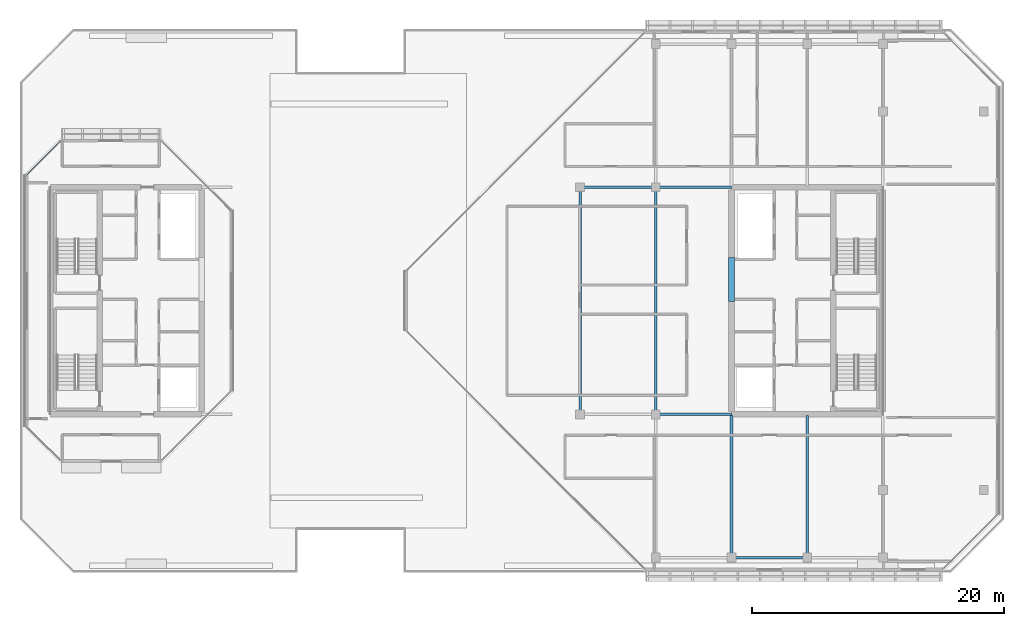
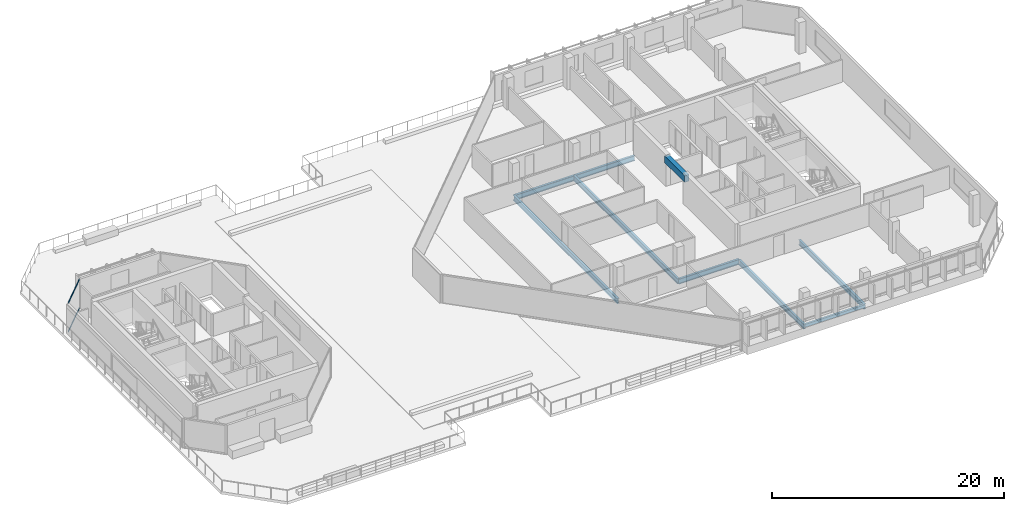
# One storey, part 11 of 30: 9 beams, 2 members, 1 element without a shape of its own.
"""IFC4 building model written with IfcOpenShell, lengths in metres."""

from ifc_helpers import new_model, si_unit, direction, frame, origin, origin_2d, place, context, subcontext, project, spatial, rectangle, hollow_rectangle, i_section, extrude, material, layer, layer_set, material_profile, profile_set, type_object, element, aggregate, save


model = new_model("IFC4")

# Units and contexts
model_context = context("Model", 3, precision=1e-05, world=origin(), true_north=direction((0.0, 1.0)))
body_context = subcontext(model_context, "Body", "Model", "MODEL_VIEW")
ifc_project = project(units=[si_unit("LENGTHUNIT", "METRE"), si_unit("AREAUNIT", "SQUARE_METRE"), si_unit("VOLUMEUNIT", "CUBIC_METRE"), si_unit("PLANEANGLEUNIT", "RADIAN"), si_unit("MASSUNIT", "GRAM", prefix="KILO")], contexts=[model_context])

# Site, building, storey
site_placement = place(None, origin())
site = spatial("IfcSite", under=ifc_project, at=site_placement, CompositionType="ELEMENT")
building_placement = place(site_placement, origin())
building = spatial("IfcBuilding", under=site, at=building_placement, Name="Tanjung Sevakor Pilgrim Tower", CompositionType="ELEMENT")
storey_placement = place(building_placement, frame((0.0, 0.0, 229.35009765625)))
storey = spatial("IfcBuildingStorey", under=building, at=storey_placement, Name="L64", CompositionType="ELEMENT", Elevation=229.35009765625)

# Beams
ifc_material_1 = material(Name="Steel S355J2", Category="steel")
ifc_material_profile_1 = material_profile(ifc_material_1, i_section(OverallWidth=0.2119140625, OverallDepth=0.54443359375, WebThickness=0.0126953125, FlangeThickness=0.021240234375, FilletRadius=0.0126953125, at=origin_2d()))
ifc_profile_set_1 = profile_set([ifc_material_profile_1], Name="Steel S355J2")
beam_type_1 = type_object("IfcBeamType", Name="BM-B-G5-UB_533x210x122", PredefinedType="BEAM", material=ifc_profile_set_1)
for number, where, z_axis, x_axis, name in (
    (1, (72.0, 24.60009765625, -0.552490234375), (1.0, 0.0, 0.0), (0.0, 1.0, 0.0), "L64 Primary Floor Girder EAST Y246-02"),
    (2, (66.0, 42.60009765625, -0.552490234375), (1.0, 0.0, 0.0), (0.0, 1.0, 0.0), "L64 Primary Floor Girder EAST Y426-01"),
    (3, (72.0, 42.60009765625, -0.552490234375), (1.0, 0.0, 0.0), (0.0, 1.0, 0.0), "L64 Primary Floor Girder EAST Y426-02"),
):
    element("IfcBeam", number, at=place(storey_placement, frame(where, z_axis=z_axis, x_axis=x_axis)), inside=storey, type_object=beam_type_1, Name=name, PredefinedType="BEAM", context=body_context, shape_type="SweptSolid", body=[
        extrude(i_section(OverallWidth=0.2119140625, OverallDepth=0.54443359375, WebThickness=0.0126953125, FlangeThickness=0.021240234375, FilletRadius=0.0126953125, at=origin_2d()), origin(), (0.0, 0.0, 1.0), 6.0),
    ])
ifc_material_2 = material(Name="Steel S355J2", Category="steel")
ifc_material_profile_2 = material_profile(ifc_material_2, i_section(OverallWidth=0.210693359375, OverallDepth=0.53955078125, WebThickness=0.01171875, FlangeThickness=0.018798828125, FilletRadius=0.0126953125, at=origin_2d()))
ifc_profile_set_2 = profile_set([ifc_material_profile_2], Name="Steel S355J2")
beam_type_2 = type_object("IfcBeamType", Name="BM-B-G6-UB_533x210x109", PredefinedType="BEAM", material=ifc_profile_set_2)
for number, where, z_axis, x_axis, name in (
    (4, (66.0, 24.60009765625, -0.5498046875), (0.0, 1.0, 0.0), (-1.0, 0.0, 0.0), "L64 EAST Girder 001"),
    (5, (72.0, 24.60009765625, -0.5498046875), (0.0, 1.0, 0.0), (-1.0, 0.0, 0.0), "L64 EAST Girder 003"),
):
    element("IfcBeam", number, at=place(storey_placement, frame(where, z_axis=z_axis, x_axis=x_axis)), inside=storey, type_object=beam_type_2, Name=name, PredefinedType="BEAM", context=body_context, shape_type="SweptSolid", body=[
        extrude(i_section(OverallWidth=0.210693359375, OverallDepth=0.53955078125, WebThickness=0.01171875, FlangeThickness=0.018798828125, FilletRadius=0.0126953125, at=origin_2d()), origin(), (0.0, 0.0, 1.0), 18.0),
    ])
for number, where, z_axis, x_axis, name in (
    (6, (78.0, 13.25, -0.5498046875), (0.0, 1.0, 0.0), (-1.0, 0.0, 0.0), "L64 EAST Girder 005"),
    (7, (84.0, 13.25, -0.5498046875), (0.0, 1.0, 0.0), (-1.0, 0.0, 0.0), "L64 EAST Girder 007"),
):
    element("IfcBeam", number, at=place(storey_placement, frame(where, z_axis=z_axis, x_axis=x_axis)), inside=storey, type_object=beam_type_2, Name=name, PredefinedType="BEAM", context=body_context, shape_type="SweptSolid", body=[
        extrude(i_section(OverallWidth=0.210693359375, OverallDepth=0.53955078125, WebThickness=0.01171875, FlangeThickness=0.018798828125, FilletRadius=0.0126953125, at=origin_2d()), origin(), (0.0, 0.0, 1.0), 11.243896484375),
    ])
ifc_material_3 = material(Name="Concrete C60/75", Category="concrete")
ifc_material_profile_3 = material_profile(ifc_material_3, rectangle(XDim=0.449951171875, YDim=0.699951171875, at=origin_2d()))
ifc_profile_set_3 = profile_set([ifc_material_profile_3], Name="Concrete C60/75")
beam_type_3 = type_object("IfcBeamType", Name="BM-B-LN3-RC-BM_450x700", PredefinedType="LINTEL", material=ifc_profile_set_3)
beam_1_placement = place(storey_placement, frame((78.0, 33.550048828125, 2.72998046875), z_axis=(0.0, 1.0, 0.0), x_axis=(-1.0, 0.0, 0.0)))
element("IfcBeam", 8, at=beam_1_placement, inside=storey, type_object=beam_type_3, Name="L64 E Core Coupling Lintel", PredefinedType="LINTEL", context=body_context, shape_type="SweptSolid", body=[
    extrude(rectangle(XDim=0.449951171875, YDim=0.699951171875, at=origin_2d()), origin(), (0.0, 0.0, 1.0), 3.5),
])
ifc_material_4 = material(Name="Steel S355J2", Category="steel")
ifc_material_profile_4 = material_profile(ifc_material_4, hollow_rectangle(XDim=0.199951171875, YDim=0.300048828125, WallThickness=0.012451171875, at=origin_2d()))
ifc_profile_set_4 = profile_set([ifc_material_profile_4], Name="Steel S355J2")
beam_type_4 = type_object("IfcBeamType", Name="BM-B-SP3-RHS_300x200x12.5", PredefinedType="SPANDREL", material=ifc_profile_set_4)
beam_2_placement = place(storey_placement, frame((78.0, 13.25, -0.43017578125), z_axis=(1.0, 0.0, 0.0), x_axis=(0.0, 1.0, 0.0)))
element("IfcBeam", 9, at=beam_2_placement, inside=storey, type_object=beam_type_4, Name="L64 Spandrel EAST S-03", PredefinedType="SPANDREL", context=body_context, shape_type="SweptSolid", body=[
    extrude(hollow_rectangle(XDim=0.199951171875, YDim=0.300048828125, WallThickness=0.012451171875, at=origin_2d()), origin(), (0.0, 0.0, 1.0), 6.0),
])

# Curtain wall, members
ifc_material_5 = material(Name="Aluminium 6063-T6 and Low-E Glass", Category="aluminium")
ifc_layer = layer(ifc_material_5, 0.179931640625)
ifc_layer_set = layer_set([ifc_layer], Name="CW-SYS-CHAM")
curtain_wall_type = type_object("IfcCurtainWallType", Name="CW-SYS-CHAM", PredefinedType="NOTDEFINED", material=ifc_layer_set)
curtain_wall_placement = place(storey_placement, origin())
curtain_wall = element("IfcCurtainWall", 10, at=curtain_wall_placement, inside=storey, type_object=curtain_wall_type, Name="L64 Curtain Wall CW-CHM-L64-WEST-5", PredefinedType="NOTDEFINED")
ifc_material_6 = material(Name="Aluminium 6063-T6", Category="aluminium")
ifc_material_profile_5 = material_profile(ifc_material_6, hollow_rectangle(XDim=0.06494140625, YDim=0.139892578125, WallThickness=0.00390625, at=origin_2d()))
ifc_profile_set_5 = profile_set([ifc_material_profile_5], Name="Aluminium 6063-T6")
member_type = type_object("IfcMemberType", Name="TYPE-CWT-1", PredefinedType="USERDEFINED", material=ifc_profile_set_5)
member_1_placement = place(storey_placement, frame((24.799560546875, 46.244140625, 0.032470703125), z_axis=(-0.707074130168, -0.707139430697, 0.0), x_axis=(0.707139430697, -0.707074130168, 0.0)))
member_1 = element("IfcMember", 11, at=member_1_placement, type_object=member_type, Name="CW-CHM transom 1.1", ObjectType="TRANSOM", PredefinedType="USERDEFINED", context=body_context, shape_type="SweptSolid", body=[
    extrude(hollow_rectangle(XDim=0.06494140625, YDim=0.139892578125, WallThickness=0.00390625, at=origin_2d()), origin(), (0.0, 0.0, 1.0), 3.73876953125),
])
member_2_placement = place(storey_placement, frame((24.799560546875, 46.244140625, 3.04736328125), z_axis=(-0.707074130168, -0.707139430697, 0.0), x_axis=(0.707139430697, -0.707074130168, 0.0)))
member_2 = element("IfcMember", 12, at=member_2_placement, type_object=member_type, Name="CW-CHM transom 1.2", ObjectType="TRANSOM", PredefinedType="USERDEFINED", context=body_context, shape_type="SweptSolid", body=[
    extrude(hollow_rectangle(XDim=0.06494140625, YDim=0.139892578125, WallThickness=0.00390625, at=origin_2d()), origin(), (0.0, 0.0, 1.0), 3.73876953125),
])
aggregate(curtain_wall, [member_1, member_2])

save(model, "model.ifc")
